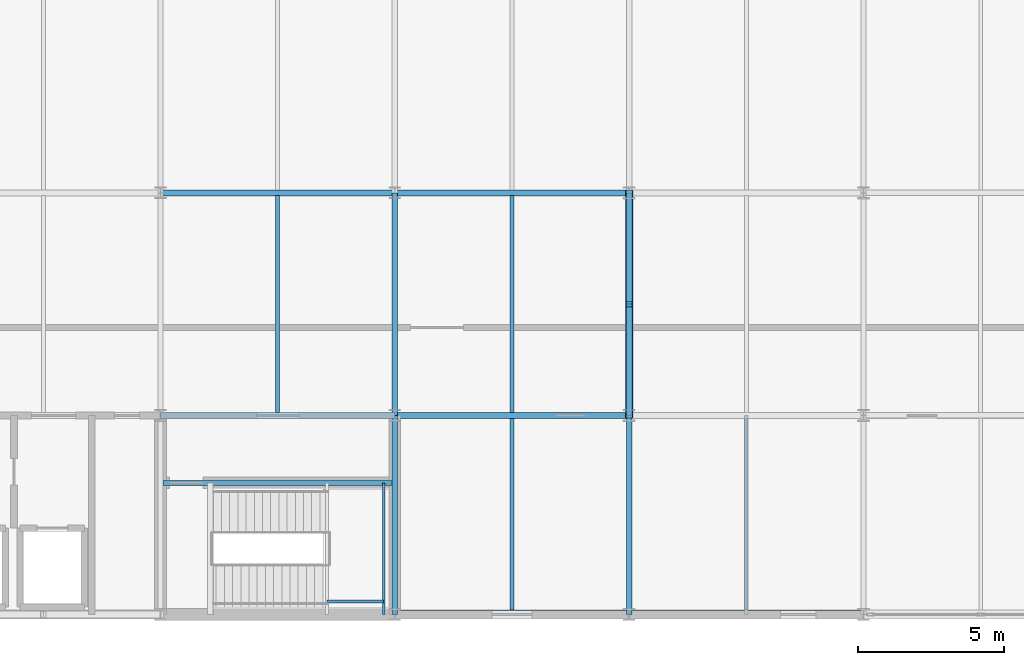
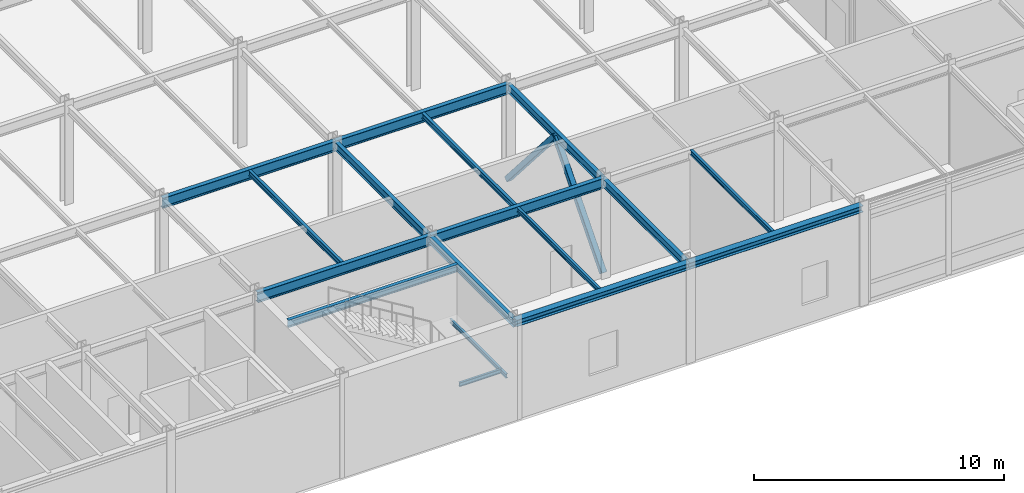
# One storey, part 22 of 79: 17 beams, 2 members.
"""IFC4 building model written with IfcOpenShell, lengths in metres."""

import ifcopenshell
import ifcopenshell.guid

model = None  # the IFC model being written
_history = None  # IfcOwnerHistory: only IFC2X3 demands one
_inside = {}  # id of a spatial element -> (the spatial element, [elements in it])
_under = {}  # id of a project, library or spatial element -> (it, [spatial elements below it])
_declared = {}  # id of a project -> (the project, [libraries it declares])
_typed = {}  # id of a type object -> (the type object, [elements of that type])
_made_of = {}  # id of a material, layer set ... -> (it, [elements and type objects made of it])


def new_model(schema):
    """Start an empty IFC model of exactly this schema.

    Asked for "IFC4X3", IfcOpenShell would pick the latest addendum, in which some entities
    have other attributes; the version numbers below select the first issue.
    IFC2X3 requires an IfcOwnerHistory on every rooted entity: one is made here for all.
    """
    global model, _history
    if schema == "IFC4X3":
        model = ifcopenshell.file(schema_version=(4, 3, 0, 0))
    else:
        model = ifcopenshell.file(schema=schema)
    _inside.clear()
    _under.clear()
    _declared.clear()
    _typed.clear()
    _made_of.clear()
    _history = None
    if model.schema == "IFC2X3":
        org = make("IfcOrganization", Name="unknown")
        user = make(
            "IfcPersonAndOrganization",
            ThePerson=make("IfcPerson", FamilyName="unknown"),
            TheOrganization=org,
        )
        app = make(
            "IfcApplication",
            ApplicationDeveloper=org,
            Version="unknown",
            ApplicationFullName="unknown",
            ApplicationIdentifier="unknown",
        )
        _history = make(
            "IfcOwnerHistory",
            OwningUser=user,
            OwningApplication=app,
            ChangeAction="ADDED",
            CreationDate=0,
        )
    return model


def make(cls, **values):
    """One entity of the class cls with the attributes given. An attribute that is None is left unset."""
    return model.create_entity(
        cls, **{name: value for name, value in values.items() if value is not None}
    )


def rooted(cls, **values):
    """An entity with a GlobalId (a new one), such as an element, a storey or a relation."""
    return make(cls, GlobalId=ifcopenshell.guid.new(), OwnerHistory=_history, **values)


def si_unit(unit_type, name, prefix=None):
    """IfcSIUnit, for example si_unit("LENGTHUNIT", "METRE", prefix="MILLI")."""
    return make("IfcSIUnit", UnitType=unit_type, Prefix=prefix, Name=name)


def assignment(units):
    """IfcUnitAssignment: the units of a project."""
    return None if units is None else make("IfcUnitAssignment", Units=units)


def point(xyz):
    """IfcCartesianPoint."""
    return None if xyz is None else make("IfcCartesianPoint", Coordinates=xyz)


def direction(xyz):
    """IfcDirection."""
    return None if xyz is None else make("IfcDirection", DirectionRatios=xyz)


def frame(location, z_axis=None, x_axis=None):
    """IfcAxis2Placement3D, a coordinate frame: its origin and axes. An axis left out is left unset."""
    return make(
        "IfcAxis2Placement3D",
        Location=point(location),
        Axis=direction(z_axis),
        RefDirection=direction(x_axis),
    )


def frame_2d(location, x_axis=None):
    """IfcAxis2Placement2D, a coordinate frame in the plane: its origin and x axis."""
    return make(
        "IfcAxis2Placement2D", Location=point(location), RefDirection=direction(x_axis)
    )


def origin():
    """The frame at (0, 0, 0) with its axes left unset."""
    return frame((0.0, 0.0, 0.0))


def origin_2d():
    """The frame at (0, 0) in the plane with its x axis left unset."""
    return frame_2d((0.0, 0.0))


def place(relative_to, where):
    """IfcLocalPlacement: puts the frame where relative to a parent placement (None: the world)."""
    return make(
        "IfcLocalPlacement", PlacementRelTo=relative_to, RelativePlacement=where
    )


def context(
    kind, dimensions, precision=None, world=None, true_north=None, identifier=None
):
    """IfcGeometricRepresentationContext, for example the 3D "Model" context."""
    return make(
        "IfcGeometricRepresentationContext",
        ContextIdentifier=identifier,
        ContextType=kind,
        CoordinateSpaceDimension=dimensions,
        Precision=precision,
        WorldCoordinateSystem=world,
        TrueNorth=true_north,
    )


def subcontext(parent, identifier, kind, view, scale=None):
    """IfcGeometricRepresentationSubContext, for example "Body" below "Model"."""
    return make(
        "IfcGeometricRepresentationSubContext",
        ContextIdentifier=identifier,
        ContextType=kind,
        ParentContext=parent,
        TargetScale=scale,
        TargetView=view,
    )


def project(units=None, contexts=None):
    """IfcProject with its units and contexts."""
    return rooted(
        "IfcProject",
        Name="project",
        RepresentationContexts=contexts,
        UnitsInContext=assignment(units),
    )


def spatial(cls, under=None, at=None, **own):
    """A site, building, storey or space (cls), placed at a placement, below another one or the project."""
    s = rooted(cls, ObjectPlacement=at, **own)
    if under is not None:
        _under.setdefault(under.id(), (under, []))[1].append(s)
    return s


def profile(cls, at=None, kind="AREA", **sizes):
    """A parametric profile (cls). Its sizes go by their IFC names, for example OverallWidth=200.0."""
    return make(cls, ProfileType=kind, Position=at, **sizes)


def hollow_rectangle(**sizes):
    """IfcRectangleHollowProfileDef."""
    return profile("IfcRectangleHollowProfileDef", **sizes)


def i_section(**sizes):
    """IfcIShapeProfileDef."""
    return profile("IfcIShapeProfileDef", **sizes)


def extrude(swept, where, along, depth):
    """IfcExtrudedAreaSolid: the profile swept, set in the frame where, extruded along a direction by depth."""
    return make(
        "IfcExtrudedAreaSolid",
        SweptArea=swept,
        Position=where,
        ExtrudedDirection=direction(along),
        Depth=depth,
    )


def shape(context_of_items, identifier, shape_type, items):
    """IfcShapeRepresentation: the items that make up one representation, for example the "Body"."""
    return make(
        "IfcShapeRepresentation",
        ContextOfItems=context_of_items,
        RepresentationIdentifier=identifier,
        RepresentationType=shape_type,
        Items=items,
    )


def material(Name=None, Category=None):
    """IfcMaterial."""
    return make("IfcMaterial", Name=Name, Category=Category)


def material_profile(
    of_material, cross_section, Name=None, Category=None, Priority=None
):
    """IfcMaterialProfile: a cross section and its material."""
    return make(
        "IfcMaterialProfile",
        Name=Name,
        Material=of_material,
        Profile=cross_section,
        Priority=Priority,
        Category=Category,
    )


def profile_set(profiles, Name=None, composite=None):
    """IfcMaterialProfileSet."""
    return make(
        "IfcMaterialProfileSet",
        Name=Name,
        MaterialProfiles=profiles,
        CompositeProfile=composite,
    )


def made_of(thing, what):
    """Note that an element or type object is made of a material, layer set ...; save() writes the relation."""
    if what is not None:
        _made_of.setdefault(what.id(), (what, []))[1].append(thing)
    return thing


def type_object(cls, material=None, **own):
    """A type object (cls), such as IfcWallType, which elements share."""
    return made_of(rooted(cls, **own), material)


def element(
    cls,
    number,
    at=None,
    inside=None,
    cuts=None,
    type_object=None,
    material=None,
    context=None,
    identifier="Body",
    shape_type=None,
    held_by="IfcProductDefinitionShape",
    body=None,
    shapes=None,
    **own,
):
    """One element of the class cls, such as IfcWall. Its Tag is "e" and its number.

    at: its placement. inside: the storey or other place that contains it. cuts: it is an
    opening in that element (IfcRelVoidsElement). A single representation is given by context,
    identifier, shape_type and body (its items); several are given by shapes. held_by: the class
    of the entity that holds the representations. save() writes the other relations.
    """
    e = rooted(cls, Tag="e%d" % number, ObjectPlacement=at, **own)
    if body is not None:
        shapes = [shape(context, identifier, shape_type, body)]
    if shapes is not None:
        e.Representation = make(held_by, Representations=shapes)
    if inside is not None:
        _inside.setdefault(inside.id(), (inside, []))[1].append(e)
    if cuts is not None:
        rooted(
            "IfcRelVoidsElement", RelatingBuildingElement=cuts, RelatedOpeningElement=e
        )
    if type_object is not None:
        _typed.setdefault(type_object.id(), (type_object, []))[1].append(e)
    return made_of(e, material)


def aggregate(whole, parts):
    """IfcRelAggregates: a whole, such as a stair, and the parts it consists of."""
    return rooted("IfcRelAggregates", RelatingObject=whole, RelatedObjects=parts)


def save(model, path):
    """Write the relations noted so far, then the file.

    IfcRelAggregates (storeys below a building ...), IfcRelContainedInSpatialStructure (elements
    in a storey), IfcRelDefinesByType, IfcRelAssociatesMaterial and IfcRelDeclares: one each for
    every whole, place, type object, material and project.
    """
    for whole, parts in _under.values():
        aggregate(whole, parts)
    for where, things in _inside.values():
        rooted(
            "IfcRelContainedInSpatialStructure",
            RelatedElements=things,
            RelatingStructure=where,
        )
    for kind, things in _typed.values():
        rooted("IfcRelDefinesByType", RelatedObjects=things, RelatingType=kind)
    for what, things in _made_of.values():
        rooted("IfcRelAssociatesMaterial", RelatedObjects=things, RelatingMaterial=what)
    for by, libraries in _declared.values():
        rooted("IfcRelDeclares", RelatingContext=by, RelatedDefinitions=libraries)
    model.write(path)


model = new_model("IFC4")

# Units and contexts
model_context = context("Model", 3, precision=1e-05, world=origin(), true_north=direction((0.0, 1.0)))
body_context = subcontext(model_context, "Body", "Model", "MODEL_VIEW")
ifc_project = project(units=[si_unit("LENGTHUNIT", "METRE"), si_unit("AREAUNIT", "SQUARE_METRE"), si_unit("VOLUMEUNIT", "CUBIC_METRE"), si_unit("PLANEANGLEUNIT", "RADIAN"), si_unit("MASSUNIT", "GRAM", prefix="KILO")], contexts=[model_context])

# Site, building, storey
site_placement = place(None, origin())
site = spatial("IfcSite", under=ifc_project, at=site_placement, CompositionType="ELEMENT")
building_placement = place(site_placement, origin())
building = spatial("IfcBuilding", under=site, at=building_placement, Name="Shalkamar Park Central Library", CompositionType="ELEMENT")
storey_placement = place(building_placement, frame((0.0, 0.0, 10.5)))
storey = spatial("IfcBuildingStorey", under=building, at=storey_placement, Name="L03", CompositionType="ELEMENT", Elevation=10.5)

# Beams
ifc_material = material(Name="Steel S355", Category="steel")
ifc_material_profile_1 = material_profile(ifc_material, i_section(OverallWidth=0.10009765625, OverallDepth=0.199951171875, WebThickness=0.005615234375, FlangeThickness=0.008544921875, FilletRadius=0.011962890625, at=origin_2d()), Name="IPE 200")
ifc_profile_set_1 = profile_set([ifc_material_profile_1], Name="Steel S355")
beam_type_1 = type_object("IfcBeamType", Name="Composite Floor Joist IPE200", PredefinedType="JOIST", material=ifc_profile_set_1)
beam_1_placement = place(storey_placement, frame((204.6201171875, 248.39990234375, 2.169921875), z_axis=(0.0, 1.0, 0.0), x_axis=(-1.0, 0.0, 0.0)))
element("IfcBeam", 1, at=beam_1_placement, inside=storey, type_object=beam_type_1, Name="Stair Half-Landing Beam ST-T2-L03-2", PredefinedType="JOIST", context=body_context, shape_type="SweptSolid", body=[
    extrude(i_section(OverallWidth=0.10009765625, OverallDepth=0.199951171875, WebThickness=0.005615234375, FlangeThickness=0.008544921875, FilletRadius=0.011962890625, at=origin_2d()), origin(), (0.0, 0.0, 1.0), 4.5),
])
beam_2_placement = place(storey_placement, frame((202.679931640625, 248.85009765625, 2.169921875), z_axis=(1.0, 0.0, 0.0), x_axis=(0.0, 1.0, 0.0)))
element("IfcBeam", 2, at=beam_2_placement, inside=storey, type_object=beam_type_1, Name="Stair Half-Landing Cross Tie ST-T2-L03-3", PredefinedType="JOIST", context=body_context, shape_type="SweptSolid", body=[
    extrude(i_section(OverallWidth=0.10009765625, OverallDepth=0.199951171875, WebThickness=0.005615234375, FlangeThickness=0.008544921875, FilletRadius=0.011962890625, at=origin_2d()), origin(), (0.0, 0.0, 1.0), 1.940185546875),
])
ifc_material_profile_2 = material_profile(ifc_material, i_section(OverallWidth=0.1201171875, OverallDepth=0.239990234375, WebThickness=0.006103515625, FlangeThickness=0.009765625, FilletRadius=0.014892578125, at=origin_2d()), Name="IPE 240")
ifc_profile_set_2 = profile_set([ifc_material_profile_2], Name="Steel S355")
beam_type_2 = type_object("IfcBeamType", Name="Composite Floor Joist IPE240", PredefinedType="JOIST", material=ifc_profile_set_2)
for number, where, z_axis, x_axis, name in (
    (3, (209.0, 248.548095703125, 4.719970703125), (0.0, 1.0, 0.0), (-1.0, 0.0, 0.0), "Composite Joist 12/B-1 (L03)"),
    (4, (217.0, 248.548095703125, 4.719970703125), (0.0, 1.0, 0.0), (-1.0, 0.0, 0.0), "Composite Joist 13/B-1 (L03)"),
):
    element("IfcBeam", number, at=place(storey_placement, frame(where, z_axis=z_axis, x_axis=x_axis)), inside=storey, type_object=beam_type_2, Name=name, PredefinedType="JOIST", context=body_context, shape_type="SweptSolid", body=[
        extrude(i_section(OverallWidth=0.1201171875, OverallDepth=0.239990234375, WebThickness=0.006103515625, FlangeThickness=0.009765625, FilletRadius=0.014892578125, at=origin_2d()), origin(), (0.0, 0.0, 1.0), 6.553955078125),
    ])
ifc_material_profile_3 = material_profile(ifc_material, i_section(OverallWidth=0.135009765625, OverallDepth=0.27001953125, WebThickness=0.006591796875, FlangeThickness=0.01025390625, FilletRadius=0.014892578125, at=origin_2d()), Name="IPE 270")
ifc_profile_set_3 = profile_set([ifc_material_profile_3], Name="Steel S355")
beam_type_3 = type_object("IfcBeamType", Name="Composite Floor Joist IPE270", PredefinedType="JOIST", material=ifc_profile_set_3)
for number, where, z_axis, x_axis, name in (
    (5, (201.0, 255.298095703125, 4.705078125), (0.0, 1.0, 0.0), (-1.0, 0.0, 0.0), "Composite Joist 11/C-1 (L03)"),
    (6, (209.0, 255.298095703125, 4.705078125), (0.0, 1.0, 0.0), (-1.0, 0.0, 0.0), "Composite Joist 12/C-1 (L03)"),
):
    element("IfcBeam", number, at=place(storey_placement, frame(where, z_axis=z_axis, x_axis=x_axis)), inside=storey, type_object=beam_type_3, Name=name, PredefinedType="JOIST", context=body_context, shape_type="SweptSolid", body=[
        extrude(i_section(OverallWidth=0.135009765625, OverallDepth=0.27001953125, WebThickness=0.006591796875, FlangeThickness=0.01025390625, FilletRadius=0.014892578125, at=origin_2d()), origin(), (0.0, 0.0, 1.0), 7.40380859375),
    ])

# Members
ifc_material_profile_4 = material_profile(ifc_material, hollow_rectangle(XDim=0.25, YDim=0.25, WallThickness=0.012451171875, InnerFilletRadius=0.012451171875, OuterFilletRadius=0.018798828125, at=origin_2d()), Name="SHS 250x250x12.5")
ifc_profile_set_4 = profile_set([ifc_material_profile_4], Name="Steel S355")
member_type = type_object("IfcMemberType", Name="Diagonal Brace SHS250", PredefinedType="BRACE", material=ifc_profile_set_4)
for number, where, z_axis, x_axis, name in (
    (7, (213.0, 255.199951171875, 0.14990234375), (0.0, 0.654464586562, 0.756092656316), (-1.0, 0.0, 0.0), "Chevron Brace TW-E Leg A (L03)"),
    (8, (213.0, 262.800048828125, 0.14990234375), (0.0, -0.654464586562, 0.756092656316), (1.0, 0.0, 0.0), "Chevron Brace TW-E Leg B (L03)"),
):
    element("IfcMember", number, at=place(storey_placement, frame(where, z_axis=z_axis, x_axis=x_axis)), inside=storey, type_object=member_type, Name=name, PredefinedType="BRACE", context=body_context, shape_type="SweptSolid", body=[
        extrude(hollow_rectangle(XDim=0.25, YDim=0.25, WallThickness=0.012451171875, InnerFilletRadius=0.012451171875, OuterFilletRadius=0.018798828125, at=origin_2d()), origin(), (0.0, 0.0, 1.0), 5.806396484375),
    ])

# Beams
ifc_material_profile_5 = material_profile(ifc_material, i_section(OverallWidth=0.300048828125, OverallDepth=0.31005859375, WebThickness=0.009033203125, FlangeThickness=0.015380859375, FilletRadius=0.027099609375, at=origin_2d()), Name="HEA 320")
ifc_profile_set_5 = profile_set([ifc_material_profile_5], Name="Steel S355")
beam_type_4 = type_object("IfcBeamType", Name="Perimeter Spandrel Beam HEA320", PredefinedType="SPANDREL", material=ifc_profile_set_5)
for number, where, z_axis, x_axis, name in (
    (9, (205.0, 248.39990234375, 4.68505859375), (1.0, 0.0, 0.0), (0.0, 1.0, 0.0), "Beam B:12-13 (L03)"),
    (10, (213.0, 248.39990234375, 4.68505859375), (1.0, 0.0, 0.0), (0.0, 1.0, 0.0), "Beam B:13-14 (L03)"),
):
    element("IfcBeam", number, at=place(storey_placement, frame(where, z_axis=z_axis, x_axis=x_axis)), inside=storey, type_object=beam_type_4, Name=name, PredefinedType="SPANDREL", context=body_context, shape_type="SweptSolid", body=[
        extrude(i_section(OverallWidth=0.300048828125, OverallDepth=0.31005859375, WebThickness=0.009033203125, FlangeThickness=0.015380859375, FilletRadius=0.027099609375, at=origin_2d()), origin(), (0.0, 0.0, 1.0), 8.0),
    ])
ifc_material_profile_6 = material_profile(ifc_material, i_section(OverallWidth=0.169921875, OverallDepth=0.360107421875, WebThickness=0.008056640625, FlangeThickness=0.0126953125, FilletRadius=0.01806640625, at=origin_2d()), Name="IPE 360")
ifc_profile_set_6 = profile_set([ifc_material_profile_6], Name="Steel S355")
beam_type_5 = type_object("IfcBeamType", Name="Primary Girder IPE360", PredefinedType="BEAM", material=ifc_profile_set_6)
beam_3_placement = place(storey_placement, frame((197.087890625, 252.89990234375, 4.659912109375), z_axis=(1.0, 0.0, 0.0), x_axis=(0.0, 1.0, 0.0)))
element("IfcBeam", 11, at=beam_3_placement, inside=storey, type_object=beam_type_5, Name="CORE-T2 Stairwell Divider Beam (L03)", PredefinedType="BEAM", context=body_context, shape_type="SweptSolid", body=[
    extrude(i_section(OverallWidth=0.169921875, OverallDepth=0.360107421875, WebThickness=0.008056640625, FlangeThickness=0.0126953125, FilletRadius=0.01806640625, at=origin_2d()), origin(), (0.0, 0.0, 1.0), 7.82421875),
])
ifc_material_profile_7 = material_profile(ifc_material, i_section(OverallWidth=0.179931640625, OverallDepth=0.39990234375, WebThickness=0.008544921875, FlangeThickness=0.013427734375, FilletRadius=0.02099609375, at=origin_2d()), Name="IPE 400")
ifc_profile_set_7 = profile_set([ifc_material_profile_7], Name="Steel S355")
beam_type_6 = type_object("IfcBeamType", Name="Primary Girder IPE400", PredefinedType="BEAM", material=ifc_profile_set_7)
beam_4_placement = place(storey_placement, frame((205.0, 248.39990234375, 4.639892578125), z_axis=(0.0, 1.0, 0.0), x_axis=(-1.0, 0.0, 0.0)))
element("IfcBeam", 12, at=beam_4_placement, inside=storey, type_object=beam_type_6, Name="Beam 12:B-C (L03)", PredefinedType="BEAM", context=body_context, shape_type="SweptSolid", body=[
    extrude(i_section(OverallWidth=0.179931640625, OverallDepth=0.39990234375, WebThickness=0.008544921875, FlangeThickness=0.013427734375, FilletRadius=0.02099609375, at=origin_2d()), origin(), (0.0, 0.0, 1.0), 6.800048828125),
])
beam_5_placement = place(storey_placement, frame((205.0, 255.199951171875, 4.639892578125), z_axis=(0.0, 1.0, 0.0), x_axis=(-1.0, 0.0, 0.0)))
element("IfcBeam", 13, at=beam_5_placement, inside=storey, type_object=beam_type_6, Name="Beam 12:C-D (L03)", PredefinedType="BEAM", context=body_context, shape_type="SweptSolid", body=[
    extrude(i_section(OverallWidth=0.179931640625, OverallDepth=0.39990234375, WebThickness=0.008544921875, FlangeThickness=0.013427734375, FilletRadius=0.02099609375, at=origin_2d()), origin(), (0.0, 0.0, 1.0), 7.60009765625),
])
beam_6_placement = place(storey_placement, frame((213.0, 248.39990234375, 4.639892578125), z_axis=(0.0, 1.0, 0.0), x_axis=(-1.0, 0.0, 0.0)))
element("IfcBeam", 14, at=beam_6_placement, inside=storey, type_object=beam_type_6, Name="Beam 13:B-C (L03)", PredefinedType="BEAM", context=body_context, shape_type="SweptSolid", body=[
    extrude(i_section(OverallWidth=0.179931640625, OverallDepth=0.39990234375, WebThickness=0.008544921875, FlangeThickness=0.013427734375, FilletRadius=0.02099609375, at=origin_2d()), origin(), (0.0, 0.0, 1.0), 6.800048828125),
])
beam_7_placement = place(storey_placement, frame((213.0, 255.199951171875, 4.639892578125), z_axis=(0.0, 1.0, 0.0), x_axis=(-1.0, 0.0, 0.0)))
element("IfcBeam", 15, at=beam_7_placement, inside=storey, type_object=beam_type_6, Name="Beam 13:C-D (L03)", PredefinedType="BEAM", context=body_context, shape_type="SweptSolid", body=[
    extrude(i_section(OverallWidth=0.179931640625, OverallDepth=0.39990234375, WebThickness=0.008544921875, FlangeThickness=0.013427734375, FilletRadius=0.02099609375, at=origin_2d()), origin(), (0.0, 0.0, 1.0), 7.60009765625),
])
ifc_material_profile_8 = material_profile(ifc_material, i_section(OverallWidth=0.199951171875, OverallDepth=0.5, WebThickness=0.01025390625, FlangeThickness=0.01611328125, FilletRadius=0.02099609375, at=origin_2d()), Name="IPE 500")
ifc_profile_set_8 = profile_set([ifc_material_profile_8], Name="Steel S355")
beam_type_7 = type_object("IfcBeamType", Name="Primary Girder IPE500", PredefinedType="BEAM", material=ifc_profile_set_8)
for number, where, z_axis, x_axis, name in (
    (16, (197.0, 255.199951171875, 4.590087890625), (1.0, 0.0, 0.0), (0.0, 1.0, 0.0), "Beam C:11-12 (L03)"),
    (17, (205.0, 255.199951171875, 4.590087890625), (1.0, 0.0, 0.0), (0.0, 1.0, 0.0), "Beam C:12-13 (L03)"),
    (18, (197.0, 262.800048828125, 4.590087890625), (1.0, 0.0, 0.0), (0.0, 1.0, 0.0), "Beam D:11-12 (L03)"),
    (19, (205.0, 262.800048828125, 4.590087890625), (1.0, 0.0, 0.0), (0.0, 1.0, 0.0), "Beam D:12-13 (L03)"),
):
    element("IfcBeam", number, at=place(storey_placement, frame(where, z_axis=z_axis, x_axis=x_axis)), inside=storey, type_object=beam_type_7, Name=name, PredefinedType="BEAM", context=body_context, shape_type="SweptSolid", body=[
        extrude(i_section(OverallWidth=0.199951171875, OverallDepth=0.5, WebThickness=0.01025390625, FlangeThickness=0.01611328125, FilletRadius=0.02099609375, at=origin_2d()), origin(), (0.0, 0.0, 1.0), 8.0),
    ])

save(model, "model.ifc")
